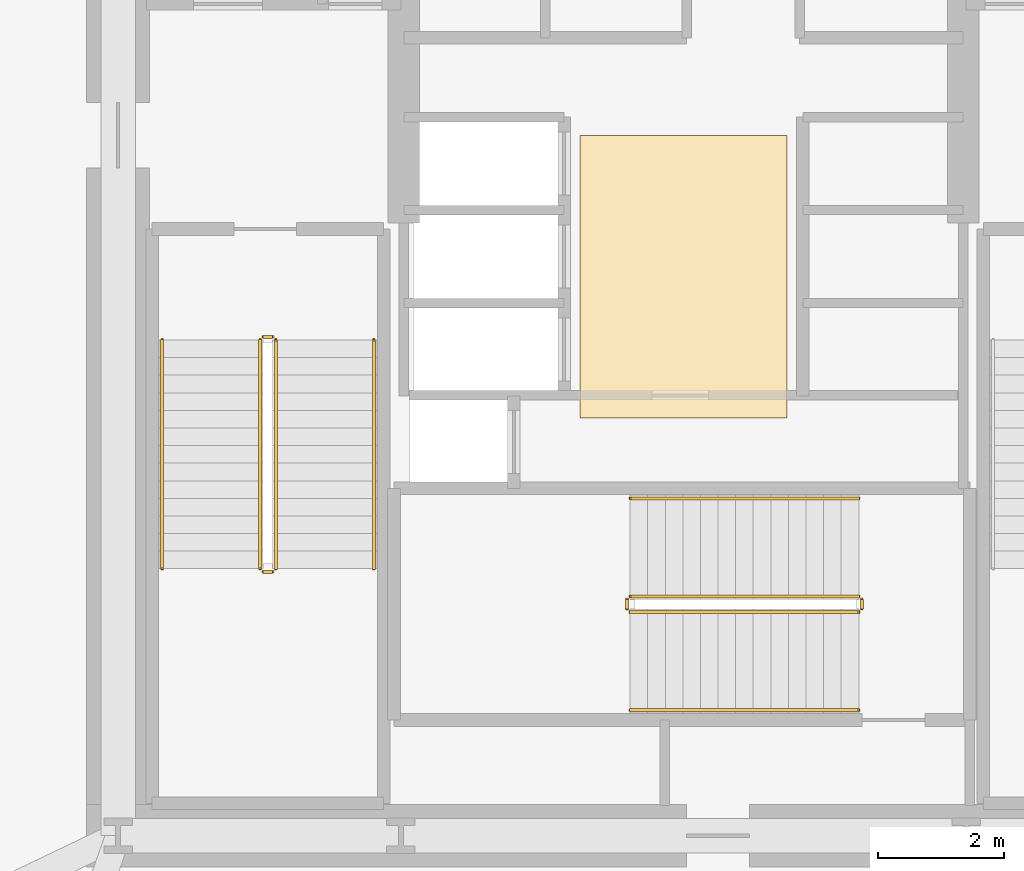
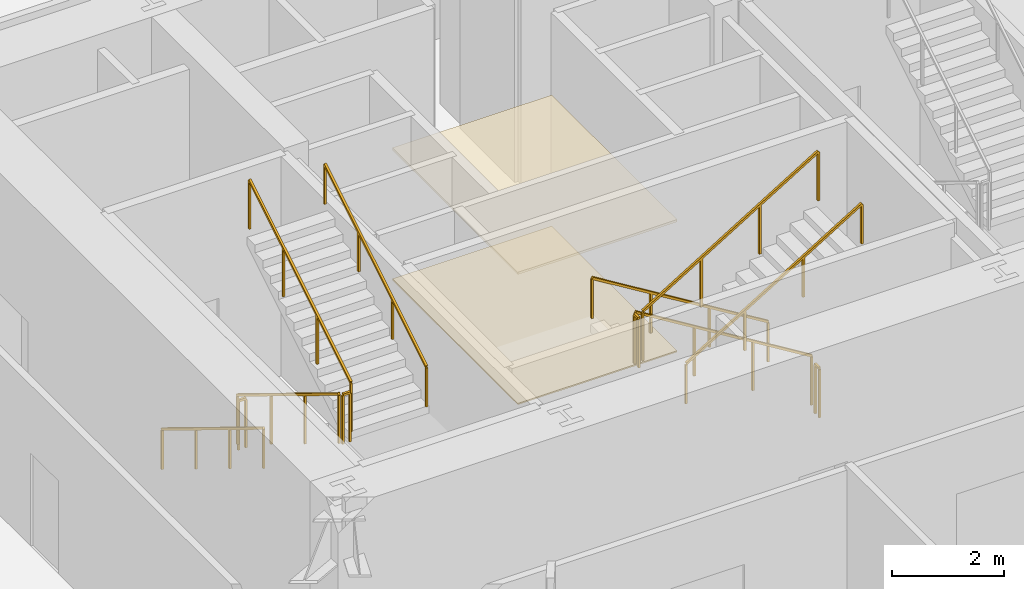
# One storey, part 15 of 17: 12 railings, 2 coverings.
"""IFC4 building model written with IfcOpenShell, lengths in metres."""

import ifcopenshell
import ifcopenshell.guid

model = None  # the IFC model being written
_history = None  # IfcOwnerHistory: only IFC2X3 demands one
_inside = {}  # id of a spatial element -> (the spatial element, [elements in it])
_under = {}  # id of a project, library or spatial element -> (it, [spatial elements below it])
_declared = {}  # id of a project -> (the project, [libraries it declares])
_typed = {}  # id of a type object -> (the type object, [elements of that type])
_made_of = {}  # id of a material, layer set ... -> (it, [elements and type objects made of it])


def new_model(schema):
    """Start an empty IFC model of exactly this schema.

    Asked for "IFC4X3", IfcOpenShell would pick the latest addendum, in which some entities
    have other attributes; the version numbers below select the first issue.
    IFC2X3 requires an IfcOwnerHistory on every rooted entity: one is made here for all.
    """
    global model, _history
    if schema == "IFC4X3":
        model = ifcopenshell.file(schema_version=(4, 3, 0, 0))
    else:
        model = ifcopenshell.file(schema=schema)
    _inside.clear()
    _under.clear()
    _declared.clear()
    _typed.clear()
    _made_of.clear()
    _history = None
    if model.schema == "IFC2X3":
        org = make("IfcOrganization", Name="unknown")
        user = make(
            "IfcPersonAndOrganization",
            ThePerson=make("IfcPerson", FamilyName="unknown"),
            TheOrganization=org,
        )
        app = make(
            "IfcApplication",
            ApplicationDeveloper=org,
            Version="unknown",
            ApplicationFullName="unknown",
            ApplicationIdentifier="unknown",
        )
        _history = make(
            "IfcOwnerHistory",
            OwningUser=user,
            OwningApplication=app,
            ChangeAction="ADDED",
            CreationDate=0,
        )
    return model


def make(cls, **values):
    """One entity of the class cls with the attributes given. An attribute that is None is left unset."""
    return model.create_entity(
        cls, **{name: value for name, value in values.items() if value is not None}
    )


def rooted(cls, **values):
    """An entity with a GlobalId (a new one), such as an element, a storey or a relation."""
    return make(cls, GlobalId=ifcopenshell.guid.new(), OwnerHistory=_history, **values)


def si_unit(unit_type, name, prefix=None):
    """IfcSIUnit, for example si_unit("LENGTHUNIT", "METRE", prefix="MILLI")."""
    return make("IfcSIUnit", UnitType=unit_type, Prefix=prefix, Name=name)


def assignment(units):
    """IfcUnitAssignment: the units of a project."""
    return None if units is None else make("IfcUnitAssignment", Units=units)


def point(xyz):
    """IfcCartesianPoint."""
    return None if xyz is None else make("IfcCartesianPoint", Coordinates=xyz)


def direction(xyz):
    """IfcDirection."""
    return None if xyz is None else make("IfcDirection", DirectionRatios=xyz)


def frame(location, z_axis=None, x_axis=None):
    """IfcAxis2Placement3D, a coordinate frame: its origin and axes. An axis left out is left unset."""
    return make(
        "IfcAxis2Placement3D",
        Location=point(location),
        Axis=direction(z_axis),
        RefDirection=direction(x_axis),
    )


def frame_2d(location, x_axis=None):
    """IfcAxis2Placement2D, a coordinate frame in the plane: its origin and x axis."""
    return make(
        "IfcAxis2Placement2D", Location=point(location), RefDirection=direction(x_axis)
    )


def origin():
    """The frame at (0, 0, 0) with its axes left unset."""
    return frame((0.0, 0.0, 0.0))


def origin_2d():
    """The frame at (0, 0) in the plane with its x axis left unset."""
    return frame_2d((0.0, 0.0))


def place(relative_to, where):
    """IfcLocalPlacement: puts the frame where relative to a parent placement (None: the world)."""
    return make(
        "IfcLocalPlacement", PlacementRelTo=relative_to, RelativePlacement=where
    )


def context(
    kind, dimensions, precision=None, world=None, true_north=None, identifier=None
):
    """IfcGeometricRepresentationContext, for example the 3D "Model" context."""
    return make(
        "IfcGeometricRepresentationContext",
        ContextIdentifier=identifier,
        ContextType=kind,
        CoordinateSpaceDimension=dimensions,
        Precision=precision,
        WorldCoordinateSystem=world,
        TrueNorth=true_north,
    )


def subcontext(parent, identifier, kind, view, scale=None):
    """IfcGeometricRepresentationSubContext, for example "Body" below "Model"."""
    return make(
        "IfcGeometricRepresentationSubContext",
        ContextIdentifier=identifier,
        ContextType=kind,
        ParentContext=parent,
        TargetScale=scale,
        TargetView=view,
    )


def project(units=None, contexts=None):
    """IfcProject with its units and contexts."""
    return rooted(
        "IfcProject",
        Name="project",
        RepresentationContexts=contexts,
        UnitsInContext=assignment(units),
    )


def spatial(cls, under=None, at=None, **own):
    """A site, building, storey or space (cls), placed at a placement, below another one or the project."""
    s = rooted(cls, ObjectPlacement=at, **own)
    if under is not None:
        _under.setdefault(under.id(), (under, []))[1].append(s)
    return s


def polyline(points):
    """IfcPolyline through the points."""
    return make("IfcPolyline", Points=[point(p) for p in points])


def profile(cls, at=None, kind="AREA", **sizes):
    """A parametric profile (cls). Its sizes go by their IFC names, for example OverallWidth=200.0."""
    return make(cls, ProfileType=kind, Position=at, **sizes)


def rectangle(**sizes):
    """IfcRectangleProfileDef."""
    return profile("IfcRectangleProfileDef", **sizes)


def outline(outer, holes=None, kind="AREA"):
    """IfcArbitraryClosedProfileDef: a profile drawn as a closed curve; with holes, ...WithVoids."""
    if holes is None:
        return make("IfcArbitraryClosedProfileDef", ProfileType=kind, OuterCurve=outer)
    return make(
        "IfcArbitraryProfileDefWithVoids",
        ProfileType=kind,
        OuterCurve=outer,
        InnerCurves=holes,
    )


def extrude(swept, where, along, depth):
    """IfcExtrudedAreaSolid: the profile swept, set in the frame where, extruded along a direction by depth."""
    return make(
        "IfcExtrudedAreaSolid",
        SweptArea=swept,
        Position=where,
        ExtrudedDirection=direction(along),
        Depth=depth,
    )


def shape(context_of_items, identifier, shape_type, items):
    """IfcShapeRepresentation: the items that make up one representation, for example the "Body"."""
    return make(
        "IfcShapeRepresentation",
        ContextOfItems=context_of_items,
        RepresentationIdentifier=identifier,
        RepresentationType=shape_type,
        Items=items,
    )


def material(Name=None, Category=None):
    """IfcMaterial."""
    return make("IfcMaterial", Name=Name, Category=Category)


def layer(
    of_material, thickness, ventilated=None, Name=None, Category=None, Priority=None
):
    """IfcMaterialLayer: one layer of a wall or slab, of a material (None: an air gap)."""
    return make(
        "IfcMaterialLayer",
        Material=of_material,
        LayerThickness=thickness,
        IsVentilated=ventilated,
        Name=Name,
        Category=Category,
        Priority=Priority,
    )


def layer_set(layers, Name=None):
    """IfcMaterialLayerSet."""
    return make("IfcMaterialLayerSet", MaterialLayers=layers, LayerSetName=Name)


def made_of(thing, what):
    """Note that an element or type object is made of a material, layer set ...; save() writes the relation."""
    if what is not None:
        _made_of.setdefault(what.id(), (what, []))[1].append(thing)
    return thing


def type_object(cls, material=None, **own):
    """A type object (cls), such as IfcWallType, which elements share."""
    return made_of(rooted(cls, **own), material)


def element(
    cls,
    number,
    at=None,
    inside=None,
    cuts=None,
    type_object=None,
    material=None,
    context=None,
    identifier="Body",
    shape_type=None,
    held_by="IfcProductDefinitionShape",
    body=None,
    shapes=None,
    **own,
):
    """One element of the class cls, such as IfcWall. Its Tag is "e" and its number.

    at: its placement. inside: the storey or other place that contains it. cuts: it is an
    opening in that element (IfcRelVoidsElement). A single representation is given by context,
    identifier, shape_type and body (its items); several are given by shapes. held_by: the class
    of the entity that holds the representations. save() writes the other relations.
    """
    e = rooted(cls, Tag="e%d" % number, ObjectPlacement=at, **own)
    if body is not None:
        shapes = [shape(context, identifier, shape_type, body)]
    if shapes is not None:
        e.Representation = make(held_by, Representations=shapes)
    if inside is not None:
        _inside.setdefault(inside.id(), (inside, []))[1].append(e)
    if cuts is not None:
        rooted(
            "IfcRelVoidsElement", RelatingBuildingElement=cuts, RelatedOpeningElement=e
        )
    if type_object is not None:
        _typed.setdefault(type_object.id(), (type_object, []))[1].append(e)
    return made_of(e, material)


def aggregate(whole, parts):
    """IfcRelAggregates: a whole, such as a stair, and the parts it consists of."""
    return rooted("IfcRelAggregates", RelatingObject=whole, RelatedObjects=parts)


def save(model, path):
    """Write the relations noted so far, then the file.

    IfcRelAggregates (storeys below a building ...), IfcRelContainedInSpatialStructure (elements
    in a storey), IfcRelDefinesByType, IfcRelAssociatesMaterial and IfcRelDeclares: one each for
    every whole, place, type object, material and project.
    """
    for whole, parts in _under.values():
        aggregate(whole, parts)
    for where, things in _inside.values():
        rooted(
            "IfcRelContainedInSpatialStructure",
            RelatedElements=things,
            RelatingStructure=where,
        )
    for kind, things in _typed.values():
        rooted("IfcRelDefinesByType", RelatedObjects=things, RelatingType=kind)
    for what, things in _made_of.values():
        rooted("IfcRelAssociatesMaterial", RelatedObjects=things, RelatingMaterial=what)
    for by, libraries in _declared.values():
        rooted("IfcRelDeclares", RelatingContext=by, RelatedDefinitions=libraries)
    model.write(path)


model = new_model("IFC4")

# Units and contexts
model_context = context("Model", 3, precision=1e-05, world=origin(), true_north=direction((0.0, 1.0)))
body_context = subcontext(model_context, "Body", "Model", "MODEL_VIEW")
ifc_project = project(units=[si_unit("LENGTHUNIT", "METRE"), si_unit("AREAUNIT", "SQUARE_METRE"), si_unit("VOLUMEUNIT", "CUBIC_METRE"), si_unit("PLANEANGLEUNIT", "RADIAN"), si_unit("MASSUNIT", "GRAM", prefix="KILO")], contexts=[model_context])

# Site, building, storey
site_placement = place(None, origin())
site = spatial("IfcSite", under=ifc_project, at=site_placement, CompositionType="ELEMENT")
building_placement = place(site_placement, origin())
building = spatial("IfcBuilding", under=site, at=building_placement, Name="Kilnhurst Terrace Hotel", CompositionType="ELEMENT")
storey_placement = place(building_placement, frame((0.0, 0.0, 18.60009765625)))
storey = spatial("IfcBuildingStorey", under=building, at=storey_placement, Name="L03", CompositionType="ELEMENT", Elevation=18.60009765625)

# Coverings
ifc_material_1 = material(Name="Perforated Micro-Acoustic Gypsum and Mineral Wool Ceiling")
ifc_layer_1 = layer(ifc_material_1, 0.050048828125, Name="Perforated Micro-Acoustic Gypsum and Mineral Wool Ceiling")
ifc_layer_set_1 = layer_set([ifc_layer_1], Name="Perforated Micro-Acoustic Gypsum and Mineral Wool Ceiling")
covering_type_1 = type_object("IfcCoveringType", Name="COV-CLG-AC60", PredefinedType="CEILING", material=ifc_layer_set_1)
covering_1_placement = place(storey_placement, frame((0.0, 0.0, 2.849853515625)))
element("IfcCovering", 1, at=covering_1_placement, inside=storey, type_object=covering_type_1, Name="L03 Lift Lobby Suspended Acoustic Ceiling", PredefinedType="CEILING", context=body_context, shape_type="SweptSolid", body=[
    extrude(outline(polyline([(-1.64990234375, -0.85009765625), (1.64990234375, -0.85009765625), (1.64990234375, 3.64990234375), (-1.64990234375, 3.64990234375), (-1.64990234375, -0.85009765625)])), origin(), (0.0, 0.0, 1.0), 0.050048828125),
])
ifc_material_2 = material(Name="Honed Texas Cream Limestone Tile Flooring", Category="masonry")
ifc_layer_2 = layer(ifc_material_2, 0.030029296875, Name="Honed Texas Cream Limestone Tile Flooring")
ifc_layer_set_2 = layer_set([ifc_layer_2], Name="Honed Texas Cream Limestone Tile Flooring")
covering_type_2 = type_object("IfcCoveringType", Name="COV-FLR-STN30", PredefinedType="FLOORING", material=ifc_layer_set_2)
covering_2_placement = place(storey_placement, origin())
element("IfcCovering", 2, at=covering_2_placement, inside=storey, type_object=covering_type_2, Name="L03 Lift Lobby Honed Limestone Flooring", PredefinedType="FLOORING", context=body_context, shape_type="SweptSolid", body=[
    extrude(outline(polyline([(-1.64990234375, -0.85009765625), (1.64990234375, -0.85009765625), (1.64990234375, 3.64990234375), (-1.64990234375, 3.64990234375), (-1.64990234375, -0.85009765625)])), origin(), (0.0, 0.0, 1.0), 0.02978515625),
])

# Railings
ifc_material_3 = material(Name="Powder-Coated Steel ASTM A500 Grade B", Category="steel")
ifc_layer_3 = layer(ifc_material_3, 0.050048828125, Name="Powder-Coated Steel ASTM A500 Grade B")
ifc_layer_set_3 = layer_set([ifc_layer_3], Name="Powder-Coated Steel ASTM A500 Grade B")
railing_type_1 = type_object("IfcRailingType", Name="RLG-ST-GRD-1100", PredefinedType="GUARDRAIL", material=ifc_layer_set_3)
railing_1_placement = place(storey_placement, frame((-6.739990234375, 0.389892578125, 0.17138671875)))
element("IfcRailing", 3, at=railing_1_placement, inside=storey, type_object=railing_type_1, Name="L03 ST-1 stair guard 1", PredefinedType="GUARDRAIL", context=body_context, shape_type="SweptSolid", body=[
    extrude(rectangle(XDim=0.048095703125, YDim=0.048095703125, at=origin_2d()), frame((0.0, 0.0, 1.076171875), z_axis=(0.0, -0.852850264322, 0.5221555579), x_axis=(1.0, 0.0, 0.0)), (0.0, 0.0, 1.0), 4.267822265625),
    extrude(rectangle(XDim=0.0419921875, YDim=0.0419921875, at=origin_2d()), origin(), (0.0, 0.0, 1.0), 1.052001953125),
    extrude(rectangle(XDim=0.0419921875, YDim=0.0419921875, at=origin_2d()), frame((0.0, -1.21337890625, 0.742919921875)), (0.0, 0.0, 1.0), 1.052001953125),
    extrude(rectangle(XDim=0.0419921875, YDim=0.0419921875, at=origin_2d()), frame((0.0, -2.426513671875, 1.485595703125)), (0.0, 0.0, 1.0), 1.052001953125),
    extrude(rectangle(XDim=0.0419921875, YDim=0.0419921875, at=origin_2d()), frame((0.0, -3.639892578125, 2.228515625)), (0.0, 0.0, 1.0), 1.052001953125),
])
railing_2_placement = place(storey_placement, frame((-6.68994140625, -3.300048828125, 2.39990234375)))
element("IfcRailing", 4, at=railing_2_placement, inside=storey, type_object=railing_type_1, Name="L03 ST-1 stair guard 2", PredefinedType="GUARDRAIL", context=body_context, shape_type="SweptSolid", body=[
    extrude(rectangle(XDim=0.048095703125, YDim=0.048095703125, at=origin_2d()), frame((0.0, 0.0, 1.076171875), z_axis=(1.0, 0.0, 0.0), x_axis=(0.0, 1.0, 0.0)), (0.0, 0.0, 1.0), 0.14990234375),
    extrude(rectangle(XDim=0.0419921875, YDim=0.0419921875, at=origin_2d()), origin(), (0.0, 0.0, 1.0), 1.052001953125),
    extrude(rectangle(XDim=0.0419921875, YDim=0.0419921875, at=origin_2d()), frame((0.14990234375, 0.0, 0.0)), (0.0, 0.0, 1.0), 1.052001953125),
])
railing_3_placement = place(storey_placement, frame((-6.489990234375, -3.25, 2.5712890625)))
element("IfcRailing", 5, at=railing_3_placement, inside=storey, type_object=railing_type_1, Name="L03 ST-1 stair guard 3", PredefinedType="GUARDRAIL", context=body_context, shape_type="SweptSolid", body=[
    extrude(rectangle(XDim=0.048095703125, YDim=0.048095703125, at=origin_2d()), frame((0.0, 0.0, 1.076171875), z_axis=(0.0, 0.852850264322, 0.5221555579), x_axis=(-1.0, 0.0, 0.0)), (0.0, 0.0, 1.0), 4.267822265625),
    extrude(rectangle(XDim=0.0419921875, YDim=0.0419921875, at=origin_2d()), origin(), (0.0, 0.0, 1.0), 1.052001953125),
    extrude(rectangle(XDim=0.0419921875, YDim=0.0419921875, at=origin_2d()), frame((0.0, 1.21337890625, 0.742919921875)), (0.0, 0.0, 1.0), 1.052001953125),
    extrude(rectangle(XDim=0.0419921875, YDim=0.0419921875, at=origin_2d()), frame((0.0, 2.426513671875, 1.485595703125)), (0.0, 0.0, 1.0), 1.052001953125),
    extrude(rectangle(XDim=0.0419921875, YDim=0.0419921875, at=origin_2d()), frame((0.0, 3.639892578125, 2.228515625)), (0.0, 0.0, 1.0), 1.052001953125),
])
railing_4_placement = place(storey_placement, frame((-6.68994140625, 0.43994140625, 0.0)))
element("IfcRailing", 6, at=railing_4_placement, inside=storey, type_object=railing_type_1, Name="L03 ST-1 stair guard 4", PredefinedType="GUARDRAIL", context=body_context, shape_type="SweptSolid", body=[
    extrude(rectangle(XDim=0.048095703125, YDim=0.048095703125, at=origin_2d()), frame((0.0, 0.0, 1.076171875), z_axis=(1.0, 0.0, 0.0), x_axis=(0.0, 1.0, 0.0)), (0.0, 0.0, 1.0), 0.14990234375),
    extrude(rectangle(XDim=0.0419921875, YDim=0.0419921875, at=origin_2d()), origin(), (0.0, 0.0, 1.0), 1.052001953125),
    extrude(rectangle(XDim=0.0419921875, YDim=0.0419921875, at=origin_2d()), frame((0.14990234375, 0.0, 0.0)), (0.0, 0.0, 1.0), 1.052001953125),
])
railing_5_placement = place(storey_placement, frame((2.7900390625, -3.68994140625, 0.17138671875)))
element("IfcRailing", 7, at=railing_5_placement, inside=storey, type_object=railing_type_1, Name="L03 ST-3 stair guard 1", PredefinedType="GUARDRAIL", context=body_context, shape_type="SweptSolid", body=[
    extrude(rectangle(XDim=0.048095703125, YDim=0.048095703125, at=origin_2d()), frame((0.0, 0.0, 1.076171875), z_axis=(-0.852865859571, 0.0, 0.52213008492), x_axis=(0.0, -1.0, 0.0)), (0.0, 0.0, 1.0), 4.26806640625),
    extrude(rectangle(XDim=0.0419921875, YDim=0.0419921875, at=origin_2d()), origin(), (0.0, 0.0, 1.0), 1.052001953125),
    extrude(rectangle(XDim=0.0419921875, YDim=0.0419921875, at=origin_2d()), frame((-1.21337890625, 0.0, 0.742919921875)), (0.0, 0.0, 1.0), 1.052001953125),
    extrude(rectangle(XDim=0.0419921875, YDim=0.0419921875, at=origin_2d()), frame((-2.4267578125, 0.0, 1.485595703125)), (0.0, 0.0, 1.0), 1.052001953125),
    extrude(rectangle(XDim=0.0419921875, YDim=0.0419921875, at=origin_2d()), frame((-3.64013671875, 0.0, 2.228515625)), (0.0, 0.0, 1.0), 1.052001953125),
])
railing_6_placement = place(storey_placement, frame((-0.89990234375, -3.739990234375, 2.39990234375)))
element("IfcRailing", 8, at=railing_6_placement, inside=storey, type_object=railing_type_1, Name="L03 ST-3 stair guard 2", PredefinedType="GUARDRAIL", context=body_context, shape_type="SweptSolid", body=[
    extrude(rectangle(XDim=0.048095703125, YDim=0.048095703125, at=origin_2d()), frame((0.0, 0.0, 1.076171875), z_axis=(0.0, -1.0, 0.0), x_axis=(1.0, 0.0, 0.0)), (0.0, 0.0, 1.0), 0.14990234375),
    extrude(rectangle(XDim=0.0419921875, YDim=0.0419921875, at=origin_2d()), origin(), (0.0, 0.0, 1.0), 1.052001953125),
    extrude(rectangle(XDim=0.0419921875, YDim=0.0419921875, at=origin_2d()), frame((0.0, -0.14990234375, 0.0)), (0.0, 0.0, 1.0), 1.052001953125),
])
railing_7_placement = place(storey_placement, frame((-0.85009765625, -3.93994140625, 2.5712890625)))
element("IfcRailing", 9, at=railing_7_placement, inside=storey, type_object=railing_type_1, Name="L03 ST-3 stair guard 3", PredefinedType="GUARDRAIL", context=body_context, shape_type="SweptSolid", body=[
    extrude(rectangle(XDim=0.048095703125, YDim=0.048095703125, at=origin_2d()), frame((0.0, 0.0, 1.076171875), z_axis=(0.852865859571, 0.0, 0.52213008492), x_axis=(0.0, 1.0, 0.0)), (0.0, 0.0, 1.0), 4.26806640625),
    extrude(rectangle(XDim=0.0419921875, YDim=0.0419921875, at=origin_2d()), origin(), (0.0, 0.0, 1.0), 1.052001953125),
    extrude(rectangle(XDim=0.0419921875, YDim=0.0419921875, at=origin_2d()), frame((1.21337890625, 0.0, 0.742919921875)), (0.0, 0.0, 1.0), 1.052001953125),
    extrude(rectangle(XDim=0.0419921875, YDim=0.0419921875, at=origin_2d()), frame((2.4267578125, 0.0, 1.485595703125)), (0.0, 0.0, 1.0), 1.052001953125),
    extrude(rectangle(XDim=0.0419921875, YDim=0.0419921875, at=origin_2d()), frame((3.64013671875, 0.0, 2.228515625)), (0.0, 0.0, 1.0), 1.052001953125),
])
railing_8_placement = place(storey_placement, frame((2.840087890625, -3.739990234375, 0.0)))
element("IfcRailing", 10, at=railing_8_placement, inside=storey, type_object=railing_type_1, Name="L03 ST-3 stair guard 4", PredefinedType="GUARDRAIL", context=body_context, shape_type="SweptSolid", body=[
    extrude(rectangle(XDim=0.048095703125, YDim=0.048095703125, at=origin_2d()), frame((0.0, 0.0, 1.076171875), z_axis=(0.0, -1.0, 0.0), x_axis=(1.0, 0.0, 0.0)), (0.0, 0.0, 1.0), 0.14990234375),
    extrude(rectangle(XDim=0.0419921875, YDim=0.0419921875, at=origin_2d()), origin(), (0.0, 0.0, 1.0), 1.052001953125),
    extrude(rectangle(XDim=0.0419921875, YDim=0.0419921875, at=origin_2d()), frame((0.0, -0.14990234375, 0.0)), (0.0, 0.0, 1.0), 1.052001953125),
])
ifc_material_4 = material(Name="Brushed Stainless Steel AISI 304", Category="steel")
ifc_layer_4 = layer(ifc_material_4, 0.048095703125, Name="Brushed Stainless Steel AISI 304")
ifc_layer_set_4 = layer_set([ifc_layer_4], Name="Brushed Stainless Steel AISI 304")
railing_type_2 = type_object("IfcRailingType", Name="RLG-ST-HRL-900", PredefinedType="HANDRAIL", material=ifc_layer_set_4)
railing_9_placement = place(storey_placement, frame((-8.300048828125, 0.389892578125, 0.17138671875)))
element("IfcRailing", 11, at=railing_9_placement, inside=storey, type_object=railing_type_2, Name="L03 ST-1 stair handrail 1", PredefinedType="HANDRAIL", context=body_context, shape_type="SweptSolid", body=[
    extrude(rectangle(XDim=0.048095703125, YDim=0.048095703125, at=origin_2d()), frame((0.0, 0.0, 0.8759765625), z_axis=(0.0, -0.852850264322, 0.5221555579), x_axis=(1.0, 0.0, 0.0)), (0.0, 0.0, 1.0), 4.267822265625),
    extrude(rectangle(XDim=0.0419921875, YDim=0.0419921875, at=origin_2d()), origin(), (0.0, 0.0, 1.0), 0.851806640625),
    extrude(rectangle(XDim=0.0419921875, YDim=0.0419921875, at=origin_2d()), frame((0.0, -1.21337890625, 0.742919921875)), (0.0, 0.0, 1.0), 0.851806640625),
    extrude(rectangle(XDim=0.0419921875, YDim=0.0419921875, at=origin_2d()), frame((0.0, -2.426513671875, 1.485595703125)), (0.0, 0.0, 1.0), 0.851806640625),
    extrude(rectangle(XDim=0.0419921875, YDim=0.0419921875, at=origin_2d()), frame((0.0, -3.639892578125, 2.228515625)), (0.0, 0.0, 1.0), 0.851806640625),
])
railing_10_placement = place(storey_placement, frame((-4.929931640625, -3.25, 2.5712890625)))
element("IfcRailing", 12, at=railing_10_placement, inside=storey, type_object=railing_type_2, Name="L03 ST-1 stair handrail 2", PredefinedType="HANDRAIL", context=body_context, shape_type="SweptSolid", body=[
    extrude(rectangle(XDim=0.048095703125, YDim=0.048095703125, at=origin_2d()), frame((0.0, 0.0, 0.8759765625), z_axis=(0.0, 0.852850264322, 0.5221555579), x_axis=(-1.0, 0.0, 0.0)), (0.0, 0.0, 1.0), 4.267822265625),
    extrude(rectangle(XDim=0.0419921875, YDim=0.0419921875, at=origin_2d()), origin(), (0.0, 0.0, 1.0), 0.851806640625),
    extrude(rectangle(XDim=0.0419921875, YDim=0.0419921875, at=origin_2d()), frame((0.0, 1.21337890625, 0.742919921875)), (0.0, 0.0, 1.0), 0.851806640625),
    extrude(rectangle(XDim=0.0419921875, YDim=0.0419921875, at=origin_2d()), frame((0.0, 2.426513671875, 1.485595703125)), (0.0, 0.0, 1.0), 0.851806640625),
    extrude(rectangle(XDim=0.0419921875, YDim=0.0419921875, at=origin_2d()), frame((0.0, 3.639892578125, 2.228515625)), (0.0, 0.0, 1.0), 0.851806640625),
])
railing_11_placement = place(storey_placement, frame((2.7900390625, -2.1298828125, 0.17138671875)))
element("IfcRailing", 13, at=railing_11_placement, inside=storey, type_object=railing_type_2, Name="L03 ST-3 stair handrail 1", PredefinedType="HANDRAIL", context=body_context, shape_type="SweptSolid", body=[
    extrude(rectangle(XDim=0.048095703125, YDim=0.048095703125, at=origin_2d()), frame((0.0, 0.0, 0.8759765625), z_axis=(-0.852865859571, 0.0, 0.52213008492), x_axis=(0.0, -1.0, 0.0)), (0.0, 0.0, 1.0), 4.26806640625),
    extrude(rectangle(XDim=0.0419921875, YDim=0.0419921875, at=origin_2d()), origin(), (0.0, 0.0, 1.0), 0.851806640625),
    extrude(rectangle(XDim=0.0419921875, YDim=0.0419921875, at=origin_2d()), frame((-1.21337890625, 0.0, 0.742919921875)), (0.0, 0.0, 1.0), 0.851806640625),
    extrude(rectangle(XDim=0.0419921875, YDim=0.0419921875, at=origin_2d()), frame((-2.4267578125, 0.0, 1.485595703125)), (0.0, 0.0, 1.0), 0.851806640625),
    extrude(rectangle(XDim=0.0419921875, YDim=0.0419921875, at=origin_2d()), frame((-3.64013671875, 0.0, 2.228515625)), (0.0, 0.0, 1.0), 0.851806640625),
])
railing_12_placement = place(storey_placement, frame((-0.85009765625, -5.5, 2.5712890625)))
element("IfcRailing", 14, at=railing_12_placement, inside=storey, type_object=railing_type_2, Name="L03 ST-3 stair handrail 2", PredefinedType="HANDRAIL", context=body_context, shape_type="SweptSolid", body=[
    extrude(rectangle(XDim=0.048095703125, YDim=0.048095703125, at=origin_2d()), frame((0.0, 0.0, 0.8759765625), z_axis=(0.852865859571, 0.0, 0.52213008492), x_axis=(0.0, 1.0, 0.0)), (0.0, 0.0, 1.0), 4.26806640625),
    extrude(rectangle(XDim=0.0419921875, YDim=0.0419921875, at=origin_2d()), origin(), (0.0, 0.0, 1.0), 0.851806640625),
    extrude(rectangle(XDim=0.0419921875, YDim=0.0419921875, at=origin_2d()), frame((1.21337890625, 0.0, 0.742919921875)), (0.0, 0.0, 1.0), 0.851806640625),
    extrude(rectangle(XDim=0.0419921875, YDim=0.0419921875, at=origin_2d()), frame((2.4267578125, 0.0, 1.485595703125)), (0.0, 0.0, 1.0), 0.851806640625),
    extrude(rectangle(XDim=0.0419921875, YDim=0.0419921875, at=origin_2d()), frame((3.64013671875, 0.0, 2.228515625)), (0.0, 0.0, 1.0), 0.851806640625),
])

save(model, "model.ifc")
